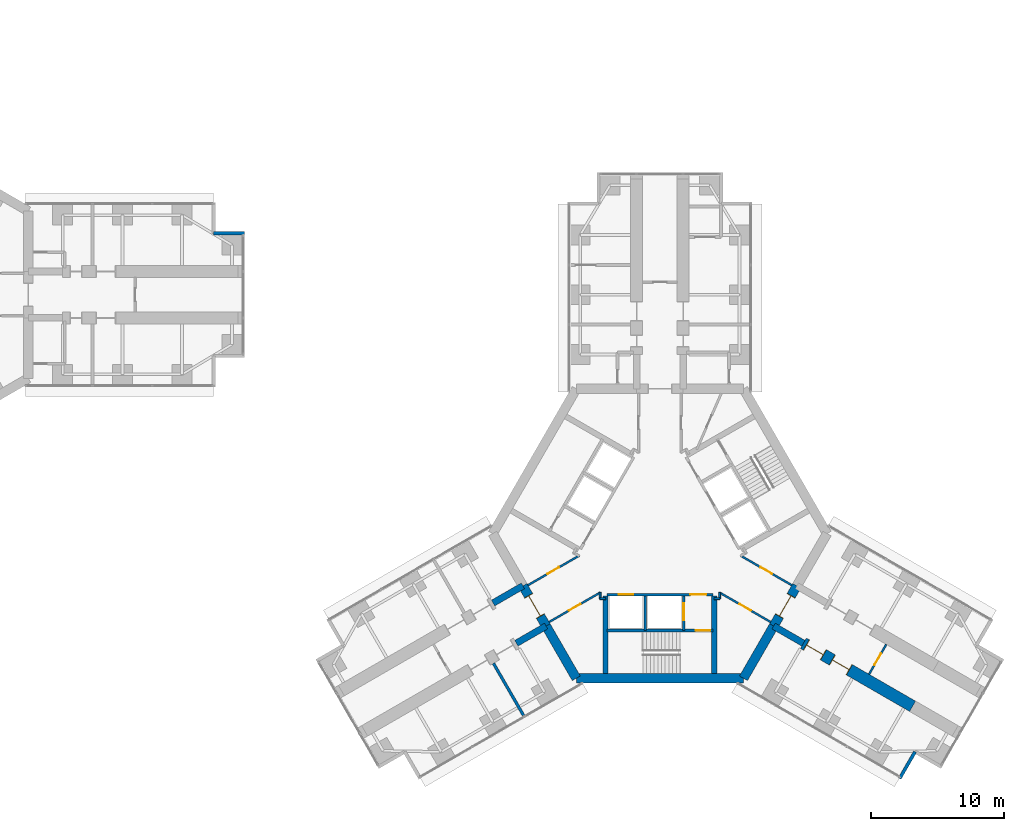
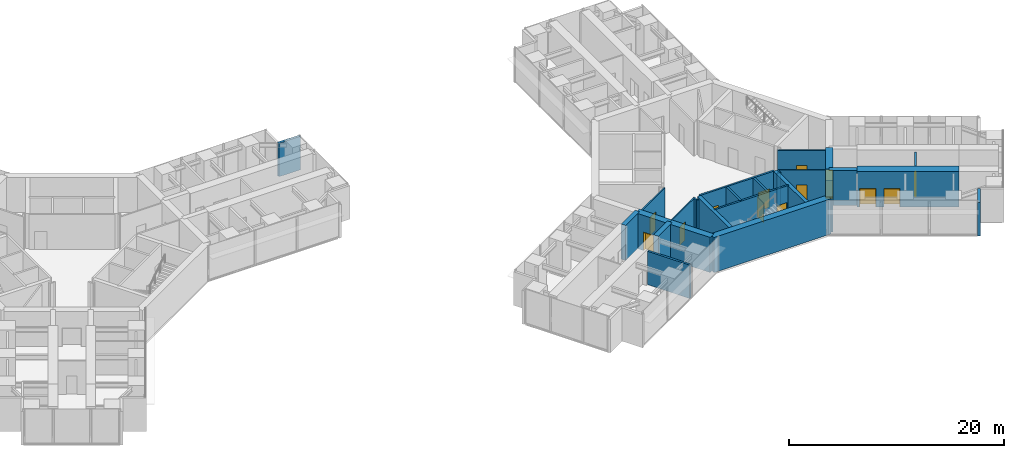
# One storey, part 19 of 23: 27 walls, 13 doors, 13 openings.
"""IFC4 building model written with IfcOpenShell, lengths in metres."""

from ifc_helpers import new_model, si_unit, direction, frame, frame_2d, origin, place, context, subcontext, project, spatial, rectangle, extrude, material, layer, layer_set, type_object, element, fill, save


model = new_model("IFC4")

# Units and contexts
model_context = context("Model", 3, precision=1e-05, world=origin(), true_north=direction((0.0, 1.0)))
body_context = subcontext(model_context, "Body", "Model", "MODEL_VIEW")
ifc_project = project(units=[si_unit("LENGTHUNIT", "METRE"), si_unit("AREAUNIT", "SQUARE_METRE"), si_unit("VOLUMEUNIT", "CUBIC_METRE"), si_unit("PLANEANGLEUNIT", "RADIAN"), si_unit("MASSUNIT", "GRAM", prefix="KILO")], contexts=[model_context])

# Site, building, storey
site_placement = place(None, origin())
site = spatial("IfcSite", under=ifc_project, at=site_placement, CompositionType="ELEMENT")
building_placement = place(site_placement, origin())
building = spatial("IfcBuilding", under=site, at=building_placement, Name="Upepo Twin Towers", CompositionType="ELEMENT")
storey_placement = place(building_placement, frame((0.0, 0.0, 28.5)))
storey = spatial("IfcBuildingStorey", under=building, at=storey_placement, Name="L06", CompositionType="ELEMENT", Elevation=28.5)

# Walls
ifc_material_1 = material(Name="Concrete blockwork, plastered both faces", Category="masonry")
ifc_layer_1 = layer(ifc_material_1, 0.215087890625)
ifc_layer_set_1 = layer_set([ifc_layer_1], Name="Blockwork partition 215")
wall_type_1 = type_object("IfcWallType", Name="Blockwork partition 215", PredefinedType="PARTITIONING", material=ifc_layer_set_1)
wall_1_placement = place(storey_placement, frame((45.960205078125, -27.7802734375, 0.0), z_axis=(0.0, 0.0, 1.0), x_axis=(0.499982560684, -0.866035472144, 0.0)))
element("IfcWall", 1, at=wall_1_placement, inside=storey, type_object=wall_type_1, Name="T2 partition BL at 15.75", PredefinedType="PARTITIONING", context=body_context, shape_type="SweptSolid", body=[
    extrude(rectangle(XDim=4.550048828125, YDim=0.215087890625, at=frame_2d((2.27490234375, 0.0))), origin(), (0.0, 0.0, 1.0), 3.800048828125),
])
ifc_material_2 = material(Name="Concrete C60/75", Category="concrete")
ifc_layer_2 = layer(ifc_material_2, 0.5)
ifc_layer_set_2 = layer_set([ifc_layer_2], Name="Concrete C60/75")
wall_type_2 = type_object("IfcWallType", Name="Buttress wall 500 RC", PredefinedType="SHEAR", material=ifc_layer_set_2)
for number, where, z_axis, x_axis, name in (
    (2, (49.92822265625, -24.9697265625, 0.0), (0.0, 0.0, 1.0), (-0.866031863473, -0.499988811324, 0.0), "T2 wing B buttress wall L"),
    (3, (48.17822265625, -21.938720703125, 0.0), (0.0, 0.0, 1.0), (-0.866072649678, -0.499918158782, 0.0), "T2 wing B buttress wall R"),
    (4, (67.07177734375, -24.9697265625, 0.0), (0.0, 0.0, 1.0), (0.866031863473, -0.499988811324, 0.0), "T2 wing C buttress wall R"),
):
    element("IfcWall", number, at=place(storey_placement, frame(where, z_axis=z_axis, x_axis=x_axis)), inside=storey, type_object=wall_type_2, Name=name, PredefinedType="SHEAR", context=body_context, shape_type="SweptSolid", body=[
        extrude(rectangle(XDim=2.591796875, YDim=0.5, at=frame_2d((1.2958984375, 0.0))), origin(), (0.0, 0.0, 1.0), 4.0),
    ])

# Wall, openings, doors
ifc_material_3 = material(Name="Concrete C60/75", Category="concrete")
ifc_layer_3 = layer(ifc_material_3, 0.89990234375)
ifc_layer_set_3 = layer_set([ifc_layer_3], Name="Concrete C60/75")
wall_type_3 = type_object("IfcWallType", Name="Buttress wall 900 RC", PredefinedType="SHEAR", material=ifc_layer_set_3)
wall_2_placement = place(storey_placement, frame((69.31640625, -26.265625, 0.0), z_axis=(0.0, 0.0, 1.0), x_axis=(0.86602681393, -0.499997557548, 0.0)))
wall_2 = element("IfcWall", 5, at=wall_2_placement, inside=storey, type_object=wall_type_3, Name="T2 wing C buttress wall R part 2", PredefinedType="SHEAR", context=body_context, shape_type="SweptSolid", body=[
    extrude(rectangle(XDim=9.5, YDim=0.89990234375, at=frame_2d((4.75, 0.0))), origin(), (0.0, 0.0, 1.0), 4.0),
])
opening_1_placement = place(wall_2_placement, frame((0.25, 0.0, 0.0)))
opening_1 = element("IfcOpeningElement", 6, at=opening_1_placement, cuts=wall_2, Name="Opening D13", PredefinedType="OPENING", context=body_context, shape_type="SweptSolid", body=[
    extrude(rectangle(XDim=1.5, YDim=2.10009765625, at=frame_2d((0.75, 1.050048828125))), frame((0.0, 0.4599609375, 0.0), z_axis=(0.0, -1.0, 0.0), x_axis=(1.0, 0.0, 0.0)), (0.0, 0.0, 1.0), 0.919921875),
])
opening_2_placement = place(wall_2_placement, frame((2.5, 0.0, 0.0)))
opening_2 = element("IfcOpeningElement", 7, at=opening_2_placement, cuts=wall_2, Name="Opening D13", PredefinedType="OPENING", context=body_context, shape_type="SweptSolid", body=[
    extrude(rectangle(XDim=1.5, YDim=2.10009765625, at=frame_2d((0.75, 1.050048828125))), frame((0.0, 0.4599609375, 0.0), z_axis=(0.0, -1.0, 0.0), x_axis=(1.0, 0.0, 0.0)), (0.0, 0.0, 1.0), 0.919921875),
])
ifc_material_4 = material(Name="Timber doorset", Category="wood")
door_type_1 = type_object("IfcDoorType", Name="Double door 1500 FD30", OperationType="DOUBLE_DOOR_SINGLE_SWING", PredefinedType="DOOR", material=ifc_material_4)
door_1_placement = place(opening_1_placement, origin())
door_1 = element("IfcDoor", 8, at=door_1_placement, inside=storey, type_object=door_type_1, Name="T2 L06 lecture room door", OperationType="DOUBLE_DOOR_SINGLE_SWING", OverallHeight=2.10009765625, OverallWidth=1.5, PredefinedType="DOOR", context=body_context, shape_type="SweptSolid", body=[
    extrude(rectangle(XDim=1.42, YDim=2.06009765625, at=frame_2d((0.75, 1.030029296875))), frame((0.0, 0.02490234375, 0.0), z_axis=(0.0, -1.0, 0.0), x_axis=(1.0, 0.0, 0.0)), (0.0, 0.0, 1.0), 0.050048828125),
    extrude(rectangle(XDim=0.04, YDim=2.10009765625, at=frame_2d((0.02001953125, 1.050048828125))), frame((0.0, 0.44970703125, 0.0), z_axis=(0.0, -1.0, 0.0), x_axis=(1.0, 0.0, 0.0)), (0.0, 0.0, 1.0), 0.8994140625),
    extrude(rectangle(XDim=0.04, YDim=2.10009765625, at=frame_2d((1.47998046875, 1.050048828125))), frame((0.0, 0.44970703125, 0.0), z_axis=(0.0, -1.0, 0.0), x_axis=(1.0, 0.0, 0.0)), (0.0, 0.0, 1.0), 0.8994140625),
    extrude(rectangle(XDim=1.42, YDim=0.04, at=frame_2d((0.75, 2.080078125))), frame((0.0, 0.44970703125, 0.0), z_axis=(0.0, -1.0, 0.0), x_axis=(1.0, 0.0, 0.0)), (0.0, 0.0, 1.0), 0.8994140625),
])
fill(opening_1, door_1)
door_2_placement = place(opening_2_placement, origin())
door_2 = element("IfcDoor", 9, at=door_2_placement, inside=storey, type_object=door_type_1, Name="T2 L06 lecture room door", OperationType="DOUBLE_DOOR_SINGLE_SWING", OverallHeight=2.10009765625, OverallWidth=1.5, PredefinedType="DOOR", context=body_context, shape_type="SweptSolid", body=[
    extrude(rectangle(XDim=1.42, YDim=2.06009765625, at=frame_2d((0.75, 1.030029296875))), frame((0.0, 0.02490234375, 0.0), z_axis=(0.0, -1.0, 0.0), x_axis=(1.0, 0.0, 0.0)), (0.0, 0.0, 1.0), 0.050048828125),
    extrude(rectangle(XDim=0.04, YDim=2.10009765625, at=frame_2d((0.02001953125, 1.050048828125))), frame((0.0, 0.44970703125, 0.0), z_axis=(0.0, -1.0, 0.0), x_axis=(1.0, 0.0, 0.0)), (0.0, 0.0, 1.0), 0.8994140625),
    extrude(rectangle(XDim=0.04, YDim=2.10009765625, at=frame_2d((1.47998046875, 1.050048828125))), frame((0.0, 0.44970703125, 0.0), z_axis=(0.0, -1.0, 0.0), x_axis=(1.0, 0.0, 0.0)), (0.0, 0.0, 1.0), 0.8994140625),
    extrude(rectangle(XDim=1.42, YDim=0.04, at=frame_2d((0.75, 2.080078125))), frame((0.0, 0.44970703125, 0.0), z_axis=(0.0, -1.0, 0.0), x_axis=(1.0, 0.0, 0.0)), (0.0, 0.0, 1.0), 0.8994140625),
])
fill(opening_2, door_2)

# Wall, opening, door
ifc_material_5 = material(Name="Concrete C60/75", Category="concrete")
ifc_layer_4 = layer(ifc_material_5, 0.699951171875)
ifc_layer_set_4 = layer_set([ifc_layer_4], Name="Concrete C60/75")
wall_type_4 = type_object("IfcWallType", Name="Core wall 700 RC", PredefinedType="SHEAR", material=ifc_layer_set_4)
wall_3_placement = place(storey_placement, frame((48.17822265625, -21.938720703125, 0.0), z_axis=(0.0, 0.0, 1.0), x_axis=(0.500010275428, -0.866019471182, 0.0)))
wall_3 = element("IfcWall", 10, at=wall_3_placement, inside=storey, type_object=wall_type_4, Name="T2 core wall 120", PredefinedType="SHEAR", context=body_context, shape_type="SweptSolid", body=[
    extrude(rectangle(XDim=3.5, YDim=0.699951171875, at=frame_2d((1.75, 0.0))), origin(), (0.0, 0.0, 1.0), 4.0),
])
opening_3_placement = place(wall_3_placement, frame((0.85009765625, 0.0, 0.0)))
opening_3 = element("IfcOpeningElement", 11, at=opening_3_placement, cuts=wall_3, Name="Opening D2", PredefinedType="OPENING", context=body_context, shape_type="SweptSolid", body=[
    extrude(rectangle(XDim=1.800048828125, YDim=2.10009765625, at=frame_2d((0.89990234375, 1.050048828125))), frame((0.0, 0.35986328125, 0.0), z_axis=(0.0, -1.0, 0.0), x_axis=(1.0, 0.0, 0.0)), (0.0, 0.0, 1.0), 0.719970703125),
])
ifc_material_6 = material(Name="Timber doorset", Category="wood")
door_type_2 = type_object("IfcDoorType", Name="Corridor double door 1800 FD60", OperationType="DOUBLE_DOOR_DOUBLE_SWING", PredefinedType="DOOR", material=ifc_material_6)
door_3_placement = place(opening_3_placement, origin())
door_3 = element("IfcDoor", 12, at=door_3_placement, inside=storey, type_object=door_type_2, Name="T2 L06 wing B corridor door", OperationType="DOUBLE_DOOR_DOUBLE_SWING", OverallHeight=2.10009765625, OverallWidth=1.800048828125, PredefinedType="DOOR", context=body_context, shape_type="SweptSolid", body=[
    extrude(rectangle(XDim=1.720048828125, YDim=2.06009765625, at=frame_2d((0.89990234375, 1.030029296875))), frame((0.0, 0.02490234375, 0.0), z_axis=(0.0, -1.0, 0.0), x_axis=(1.0, 0.0, 0.0)), (0.0, 0.0, 1.0), 0.050048828125),
    extrude(rectangle(XDim=0.04, YDim=2.10009765625, at=frame_2d((0.02001953125, 1.050048828125))), frame((0.0, 0.349609375, 0.0), z_axis=(0.0, -1.0, 0.0), x_axis=(1.0, 0.0, 0.0)), (0.0, 0.0, 1.0), 0.699462890625),
    extrude(rectangle(XDim=0.04, YDim=2.10009765625, at=frame_2d((1.780029296875, 1.050048828125))), frame((0.0, 0.349609375, 0.0), z_axis=(0.0, -1.0, 0.0), x_axis=(1.0, 0.0, 0.0)), (0.0, 0.0, 1.0), 0.699462890625),
    extrude(rectangle(XDim=1.720048828125, YDim=0.04, at=frame_2d((0.89990234375, 2.080078125))), frame((0.0, 0.349609375, 0.0), z_axis=(0.0, -1.0, 0.0), x_axis=(1.0, 0.0, 0.0)), (0.0, 0.0, 1.0), 0.699462890625),
])
fill(opening_3, door_3)

# Walls
wall_4_placement = place(storey_placement, frame((49.92822265625, -24.9697265625, 0.0), z_axis=(0.0, 0.0, 1.0), x_axis=(0.499984222037, -0.866034513004, 0.0)))
element("IfcWall", 13, at=wall_4_placement, inside=storey, type_object=wall_type_4, Name="T2 core wall 120 L", PredefinedType="SHEAR", context=body_context, shape_type="SweptSolid", body=[
    extrude(rectangle(XDim=4.548095703125, YDim=0.699951171875, at=frame_2d((2.27392578125, 0.0))), origin(), (0.0, 0.0, 1.0), 4.0),
])
wall_5_placement = place(storey_placement, frame((52.2021484375, -28.908447265625, 0.0), z_axis=(0.0, 0.0, 1.0), x_axis=(1.0, 0.0, 0.0)))
element("IfcWall", 14, at=wall_5_placement, inside=storey, type_object=wall_type_4, Name="T2 core wall 180", PredefinedType="SHEAR", context=body_context, shape_type="SweptSolid", body=[
    extrude(rectangle(XDim=12.595703125, YDim=0.699951171875, at=frame_2d((6.2978515625, 0.0))), origin(), (0.0, 0.0, 1.0), 4.0),
])
wall_6_placement = place(storey_placement, frame((64.7978515625, -28.908447265625, 0.0), z_axis=(0.0, 0.0, 1.0), x_axis=(0.499984222037, 0.866034513004, 0.0)))
element("IfcWall", 15, at=wall_6_placement, inside=storey, type_object=wall_type_4, Name="T2 core wall 240 R", PredefinedType="SHEAR", context=body_context, shape_type="SweptSolid", body=[
    extrude(rectangle(XDim=4.548095703125, YDim=0.699951171875, at=frame_2d((2.27392578125, 0.0))), origin(), (0.0, 0.0, 1.0), 4.0),
])

# Wall, opening, door
wall_7_placement = place(storey_placement, frame((67.07177734375, -24.9697265625, 0.0), z_axis=(0.0, 0.0, 1.0), x_axis=(0.500010275428, 0.866019471182, 0.0)))
wall_7 = element("IfcWall", 16, at=wall_7_placement, inside=storey, type_object=wall_type_4, Name="T2 core wall 240", PredefinedType="SHEAR", context=body_context, shape_type="SweptSolid", body=[
    extrude(rectangle(XDim=3.5, YDim=0.699951171875, at=frame_2d((1.75, 0.0))), origin(), (0.0, 0.0, 1.0), 4.0),
])
opening_4_placement = place(wall_7_placement, frame((0.85009765625, 0.0, 0.0)))
opening_4 = element("IfcOpeningElement", 17, at=opening_4_placement, cuts=wall_7, Name="Opening D2", PredefinedType="OPENING", context=body_context, shape_type="SweptSolid", body=[
    extrude(rectangle(XDim=1.800048828125, YDim=2.10009765625, at=frame_2d((0.89990234375, 1.050048828125))), frame((0.0, 0.35986328125, 0.0), z_axis=(0.0, -1.0, 0.0), x_axis=(1.0, 0.0, 0.0)), (0.0, 0.0, 1.0), 0.719970703125),
])
door_4_placement = place(opening_4_placement, origin())
door_4 = element("IfcDoor", 18, at=door_4_placement, inside=storey, type_object=door_type_2, Name="T2 L06 wing C corridor door", OperationType="DOUBLE_DOOR_DOUBLE_SWING", OverallHeight=2.10009765625, OverallWidth=1.800048828125, PredefinedType="DOOR", context=body_context, shape_type="SweptSolid", body=[
    extrude(rectangle(XDim=1.720048828125, YDim=2.06009765625, at=frame_2d((0.89990234375, 1.030029296875))), frame((0.0, 0.02490234375, 0.0), z_axis=(0.0, -1.0, 0.0), x_axis=(1.0, 0.0, 0.0)), (0.0, 0.0, 1.0), 0.050048828125),
    extrude(rectangle(XDim=0.04, YDim=2.10009765625, at=frame_2d((0.02001953125, 1.050048828125))), frame((0.0, 0.349609375, 0.0), z_axis=(0.0, -1.0, 0.0), x_axis=(1.0, 0.0, 0.0)), (0.0, 0.0, 1.0), 0.699462890625),
    extrude(rectangle(XDim=0.04, YDim=2.10009765625, at=frame_2d((1.780029296875, 1.050048828125))), frame((0.0, 0.349609375, 0.0), z_axis=(0.0, -1.0, 0.0), x_axis=(1.0, 0.0, 0.0)), (0.0, 0.0, 1.0), 0.699462890625),
    extrude(rectangle(XDim=1.720048828125, YDim=0.04, at=frame_2d((0.89990234375, 2.080078125))), frame((0.0, 0.349609375, 0.0), z_axis=(0.0, -1.0, 0.0), x_axis=(1.0, 0.0, 0.0)), (0.0, 0.0, 1.0), 0.699462890625),
])
fill(opening_4, door_4)

# Walls
ifc_material_7 = material(Name="Blockwork with anodised aluminium cladding", Category="masonry")
ifc_layer_5 = layer(ifc_material_7, 0.25)
ifc_layer_set_5 = layer_set([ifc_layer_5], Name="Notch cladding wall 250, pale metal")
wall_type_5 = type_object("IfcWallType", Name="Notch cladding wall 250, pale metal", PredefinedType="STANDARD", material=ifc_layer_set_5)
for number, where, z_axis, x_axis, name in (
    (19, (24.875, 4.625, 0.0), (0.0, 0.0, 1.0), (1.0, 0.0, 0.0), "T1 L06 wing A notch wall L2"),
    (20, (76.5673828125, -36.456298828125, 0.0), (0.0, 0.0, 1.0), (0.500046648681, 0.865998469481, 0.0), "T2 L06 wing C notch wall R1"),
):
    element("IfcWall", number, at=place(storey_placement, frame(where, z_axis=z_axis, x_axis=x_axis)), inside=storey, type_object=wall_type_5, Name=name, PredefinedType="STANDARD", context=body_context, shape_type="SweptSolid", body=[
        extrude(rectangle(XDim=2.324951171875, YDim=0.25, at=frame_2d((1.16259765625, 0.0))), origin(), (0.0, 0.0, 1.0), 3.800048828125),
    ])

# Wall, openings, doors
ifc_material_8 = material(Name="Concrete C40/50", Category="concrete")
ifc_layer_6 = layer(ifc_material_8, 0.199951171875)
ifc_layer_set_6 = layer_set([ifc_layer_6], Name="Concrete C40/50")
wall_type_6 = type_object("IfcWallType", Name="Shaft wall 200 RC", PredefinedType="SHEAR", material=ifc_layer_set_6)
wall_8_placement = place(storey_placement, frame((54.5, -22.60009765625, 0.0), z_axis=(0.0, 0.0, 1.0), x_axis=(1.0, 0.0, 0.0)))
wall_8 = element("IfcWall", 21, at=wall_8_placement, inside=storey, type_object=wall_type_6, Name="T2 core W180 front wall", PredefinedType="SHEAR", context=body_context, shape_type="SweptSolid", body=[
    extrude(rectangle(XDim=8.0, YDim=0.199951171875, at=frame_2d((4.0, 0.0))), origin(), (0.0, 0.0, 1.0), 4.0),
])
opening_5_placement = place(wall_8_placement, frame((6.300048828125, 0.0, 0.0)))
opening_5 = element("IfcOpeningElement", 22, at=opening_5_placement, cuts=wall_8, Name="Opening D4", PredefinedType="OPENING", context=body_context, shape_type="SweptSolid", body=[
    extrude(rectangle(XDim=1.199951171875, YDim=2.10009765625, at=frame_2d((0.60009765625, 1.050048828125))), frame((0.0, 0.10986328125, 0.0), z_axis=(0.0, -1.0, 0.0), x_axis=(1.0, 0.0, 0.0)), (0.0, 0.0, 1.0), 0.219970703125),
])
opening_6_placement = place(wall_8_placement, frame((0.89990234375, 0.0, 0.0)))
opening_6 = element("IfcOpeningElement", 23, at=opening_6_placement, cuts=wall_8, Name="Opening LD1", PredefinedType="OPENING", context=body_context, shape_type="SweptSolid", body=[
    extrude(rectangle(XDim=1.10009765625, YDim=2.199951171875, at=frame_2d((0.550048828125, 1.10009765625))), frame((0.0, 0.10986328125, 0.0), z_axis=(0.0, -1.0, 0.0), x_axis=(1.0, 0.0, 0.0)), (0.0, 0.0, 1.0), 0.219970703125),
])
ifc_material_9 = material(Name="Steel doorset", Category="steel")
door_type_3 = type_object("IfcDoorType", Name="Lift landing door 1100", OperationType="DOUBLE_DOOR_SLIDING", PredefinedType="DOOR", material=ifc_material_9)
door_5_placement = place(opening_6_placement, origin())
door_5 = element("IfcDoor", 24, at=door_5_placement, inside=storey, type_object=door_type_3, Name="T2 L06 lift SV1 landing door", OperationType="DOUBLE_DOOR_SLIDING", OverallHeight=2.199951171875, OverallWidth=1.10009765625, PredefinedType="DOOR", context=body_context, shape_type="SweptSolid", body=[
    extrude(rectangle(XDim=1.10009765625, YDim=2.199951171875, at=frame_2d((0.550048828125, 1.10009765625))), frame((0.0, 0.02490234375, 0.0), z_axis=(0.0, -1.0, 0.0), x_axis=(1.0, 0.0, 0.0)), (0.0, 0.0, 1.0), 0.050048828125),
])
fill(opening_6, door_5)
ifc_material_10 = material(Name="Timber doorset", Category="wood")
door_type_4 = type_object("IfcDoorType", Name="Lobby door 1200 FD60", OperationType="SINGLE_SWING_LEFT", PredefinedType="DOOR", material=ifc_material_10)
door_6_placement = place(opening_5_placement, origin())
door_6 = element("IfcDoor", 25, at=door_6_placement, inside=storey, type_object=door_type_4, Name="T2 L06 W180 lobby door", OperationType="SINGLE_SWING_RIGHT", OverallHeight=2.10009765625, OverallWidth=1.199951171875, PredefinedType="DOOR", context=body_context, shape_type="SweptSolid", body=[
    extrude(rectangle(XDim=1.199951171875, YDim=2.10009765625, at=frame_2d((0.60009765625, 1.050048828125))), frame((0.0, 0.02490234375, 0.0), z_axis=(0.0, -1.0, 0.0), x_axis=(1.0, 0.0, 0.0)), (0.0, 0.0, 1.0), 0.050048828125),
])
fill(opening_5, door_6)

# Wall
wall_9_placement = place(storey_placement, frame((57.39990234375, -22.699951171875, 0.0), z_axis=(0.0, 0.0, 1.0), x_axis=(0.0, -1.0, 0.0)))
element("IfcWall", 26, at=wall_9_placement, inside=storey, type_object=wall_type_6, Name="T2 core W180 shaft divider", PredefinedType="SHEAR", context=body_context, shape_type="SweptSolid", body=[
    extrude(rectangle(XDim=2.60009765625, YDim=0.199951171875, at=frame_2d((1.300048828125, 0.0))), origin(), (0.0, 0.0, 1.0), 4.0),
])

# Wall, opening, door
wall_10_placement = place(storey_placement, frame((60.300048828125, -22.699951171875, 0.0), z_axis=(0.0, 0.0, 1.0), x_axis=(0.0, -1.0, 0.0)))
wall_10 = element("IfcWall", 27, at=wall_10_placement, inside=storey, type_object=wall_type_6, Name="T2 core W180 lobby wall", PredefinedType="SHEAR", context=body_context, shape_type="SweptSolid", body=[
    extrude(rectangle(XDim=2.60009765625, YDim=0.199951171875, at=frame_2d((1.300048828125, 0.0))), origin(), (0.0, 0.0, 1.0), 4.0),
])
opening_7_placement = place(wall_10_placement, frame((0.550048828125, 0.0, 0.0)))
opening_7 = element("IfcOpeningElement", 28, at=opening_7_placement, cuts=wall_10, Name="Opening LD2", PredefinedType="OPENING", context=body_context, shape_type="SweptSolid", body=[
    extrude(rectangle(XDim=1.300048828125, YDim=2.199951171875, at=frame_2d((0.64990234375, 1.10009765625))), frame((0.0, 0.10986328125, 0.0), z_axis=(0.0, -1.0, 0.0), x_axis=(1.0, 0.0, 0.0)), (0.0, 0.0, 1.0), 0.219970703125),
])
ifc_material_11 = material(Name="Steel doorset", Category="steel")
door_type_5 = type_object("IfcDoorType", Name="Firefighting lift landing door 1300", OperationType="DOUBLE_DOOR_SLIDING", PredefinedType="DOOR", material=ifc_material_11)
door_7_placement = place(opening_7_placement, origin())
door_7 = element("IfcDoor", 29, at=door_7_placement, inside=storey, type_object=door_type_5, Name="T2 L06 firefighting lift landing door", OperationType="DOUBLE_DOOR_SLIDING", OverallHeight=2.199951171875, OverallWidth=1.300048828125, PredefinedType="DOOR", context=body_context, shape_type="SweptSolid", body=[
    extrude(rectangle(XDim=1.300048828125, YDim=2.199951171875, at=frame_2d((0.64990234375, 1.10009765625))), frame((0.0, 0.02490234375, 0.0), z_axis=(0.0, -1.0, 0.0), x_axis=(1.0, 0.0, 0.0)), (0.0, 0.0, 1.0), 0.050048828125),
])
fill(opening_7, door_7)

wall_11_placement = place(storey_placement, frame((54.5, -25.300048828125, 0.0), z_axis=(0.0, 0.0, 1.0), x_axis=(1.0, 0.0, 0.0)))
wall_11 = element("IfcWall", 30, at=wall_11_placement, inside=storey, type_object=wall_type_6, Name="T2 core W180 stair wall", PredefinedType="SHEAR", context=body_context, shape_type="SweptSolid", body=[
    extrude(rectangle(XDim=8.0, YDim=0.199951171875, at=frame_2d((4.0, 0.0))), origin(), (0.0, 0.0, 1.0), 4.0),
])
opening_8_placement = place(wall_11_placement, frame((6.699951171875, 0.0, 0.0)))
opening_8 = element("IfcOpeningElement", 31, at=opening_8_placement, cuts=wall_11, Name="Opening D3", PredefinedType="OPENING", context=body_context, shape_type="SweptSolid", body=[
    extrude(rectangle(XDim=1.10009765625, YDim=2.10009765625, at=frame_2d((0.550048828125, 1.050048828125))), frame((0.0, 0.10986328125, 0.0), z_axis=(0.0, -1.0, 0.0), x_axis=(1.0, 0.0, 0.0)), (0.0, 0.0, 1.0), 0.219970703125),
])
ifc_material_12 = material(Name="Timber doorset", Category="wood")
door_type_6 = type_object("IfcDoorType", Name="Stair door 1100 FD60", OperationType="SINGLE_SWING_LEFT", PredefinedType="DOOR", material=ifc_material_12)
door_8_placement = place(opening_8_placement, origin())
door_8 = element("IfcDoor", 32, at=door_8_placement, inside=storey, type_object=door_type_6, Name="T2 L06 stair door", OperationType="SINGLE_SWING_RIGHT", OverallHeight=2.10009765625, OverallWidth=1.10009765625, PredefinedType="DOOR", context=body_context, shape_type="SweptSolid", body=[
    extrude(rectangle(XDim=1.10009765625, YDim=2.10009765625, at=frame_2d((0.550048828125, 1.050048828125))), frame((0.0, 0.02490234375, 0.0), z_axis=(0.0, -1.0, 0.0), x_axis=(1.0, 0.0, 0.0)), (0.0, 0.0, 1.0), 0.050048828125),
])
fill(opening_8, door_8)

# Walls
ifc_material_13 = material(Name="Concrete C40/50", Category="concrete")
ifc_layer_7 = layer(ifc_material_13, 0.39990234375)
ifc_layer_set_7 = layer_set([ifc_layer_7], Name="Concrete C40/50")
wall_type_7 = type_object("IfcWallType", Name="Shaft wall 400 RC", PredefinedType="SHEAR", material=ifc_layer_set_7)
for number, where, z_axis, x_axis, name in (
    (33, (62.60009765625, -22.699951171875, 0.0), (0.0, 0.0, 1.0), (0.0, -1.0, 0.0), "T2 core W180 side wall N"),
    (34, (54.39990234375, -22.699951171875, 0.0), (0.0, 0.0, 1.0), (0.0, -1.0, 0.0), "T2 core W180 side wall S"),
):
    element("IfcWall", number, at=place(storey_placement, frame(where, z_axis=z_axis, x_axis=x_axis)), inside=storey, type_object=wall_type_7, Name=name, PredefinedType="SHEAR", context=body_context, shape_type="SweptSolid", body=[
        extrude(rectangle(XDim=5.8583984375, YDim=0.39990234375, at=frame_2d((2.92919921875, 0.0))), origin(), (0.0, 0.0, 1.0), 4.0),
    ])
ifc_material_14 = material(Name="Gypsum board on steel studs", Category="steel")
ifc_layer_8 = layer(ifc_material_14, 0.14990234375)
ifc_layer_set_8 = layer_set([ifc_layer_8], Name="Teaching partition 150 acoustic")
wall_type_8 = type_object("IfcWallType", Name="Teaching partition 150 acoustic", PredefinedType="PARTITIONING", material=ifc_layer_set_8)
wall_12_placement = place(storey_placement, frame((54.0, -22.919921875, 0.0), z_axis=(0.0, 0.0, 1.0), x_axis=(0.0, 1.0, 0.0)))
element("IfcWall", 35, at=wall_12_placement, inside=storey, type_object=wall_type_8, Name="T2 core room partition 1", PredefinedType="PARTITIONING", context=body_context, shape_type="SweptSolid", body=[
    extrude(rectangle(XDim=0.494384765625, YDim=0.14990234375, at=frame_2d((0.2470703125, 0.0))), origin(), (0.0, 0.0, 1.0), 3.800048828125),
])

# Wall, opening, door
wall_13_placement = place(storey_placement, frame((54.017333984375, -22.435546875, 0.0), z_axis=(0.0, 0.0, 1.0), x_axis=(-0.866015446554, -0.500017246033, 0.0)))
wall_13 = element("IfcWall", 36, at=wall_13_placement, inside=storey, type_object=wall_type_8, Name="T2 core room partition 2", PredefinedType="PARTITIONING", context=body_context, shape_type="SweptSolid", body=[
    extrude(rectangle(XDim=4.468505859375, YDim=0.14990234375, at=frame_2d((2.234375, 0.0))), origin(), (0.0, 0.0, 1.0), 3.800048828125),
])
opening_9_placement = place(wall_13_placement, frame((1.744384765625, 0.0, 0.0)))
opening_9 = element("IfcOpeningElement", 37, at=opening_9_placement, cuts=wall_13, Name="Opening D1", PredefinedType="OPENING", context=body_context, shape_type="SweptSolid", body=[
    extrude(rectangle(XDim=1.0, YDim=2.10009765625, at=frame_2d((0.5, 1.050048828125))), frame((0.0, 0.0849609375, 0.0), z_axis=(0.0, -1.0, 0.0), x_axis=(1.0, 0.0, 0.0)), (0.0, 0.0, 1.0), 0.169921875),
])
ifc_material_15 = material(Name="Timber doorset", Category="wood")
door_type_7 = type_object("IfcDoorType", Name="Room door 1000 FD30", OperationType="SINGLE_SWING_LEFT", PredefinedType="DOOR", material=ifc_material_15)
door_9_placement = place(opening_9_placement, origin())
door_9 = element("IfcDoor", 38, at=door_9_placement, inside=storey, type_object=door_type_7, Name="T2 L06 core room door K2", OperationType="SINGLE_SWING_RIGHT", OverallHeight=2.10009765625, OverallWidth=1.0, PredefinedType="DOOR", context=body_context, shape_type="SweptSolid", body=[
    extrude(rectangle(XDim=1.0, YDim=2.10009765625, at=frame_2d((0.5, 1.050048828125))), frame((0.0, 0.02490234375, 0.0), z_axis=(0.0, -1.0, 0.0), x_axis=(1.0, 0.0, 0.0)), (0.0, 0.0, 1.0), 0.050048828125),
])
fill(opening_9, door_9)

wall_14_placement = place(storey_placement, frame((48.547607421875, -21.8984375, 0.0), z_axis=(0.0, 0.0, 1.0), x_axis=(0.866025445582, 0.499999927604, 0.0)))
wall_14 = element("IfcWall", 39, at=wall_14_placement, inside=storey, type_object=wall_type_8, Name="T2 core room partition 3", PredefinedType="PARTITIONING", context=body_context, shape_type="SweptSolid", body=[
    extrude(rectangle(XDim=4.46826171875, YDim=0.14990234375, at=frame_2d((2.234130859375, 0.0))), origin(), (0.0, 0.0, 1.0), 3.800048828125),
])
opening_10_placement = place(wall_14_placement, frame((1.72412109375, 0.0, 0.0)))
opening_10 = element("IfcOpeningElement", 40, at=opening_10_placement, cuts=wall_14, Name="Opening D1", PredefinedType="OPENING", context=body_context, shape_type="SweptSolid", body=[
    extrude(rectangle(XDim=1.0, YDim=2.10009765625, at=frame_2d((0.5, 1.050048828125))), frame((0.0, 0.0849609375, 0.0), z_axis=(0.0, -1.0, 0.0), x_axis=(1.0, 0.0, 0.0)), (0.0, 0.0, 1.0), 0.169921875),
])
door_10_placement = place(opening_10_placement, origin())
door_10 = element("IfcDoor", 41, at=door_10_placement, inside=storey, type_object=door_type_7, Name="T2 L06 core room door K1", OperationType="SINGLE_SWING_LEFT", OverallHeight=2.10009765625, OverallWidth=1.0, PredefinedType="DOOR", context=body_context, shape_type="SweptSolid", body=[
    extrude(rectangle(XDim=1.0, YDim=2.10009765625, at=frame_2d((0.5, 1.050048828125))), frame((0.0, 0.02490234375, 0.0), z_axis=(0.0, -1.0, 0.0), x_axis=(1.0, 0.0, 0.0)), (0.0, 0.0, 1.0), 0.050048828125),
])
fill(opening_10, door_10)

wall_15_placement = place(storey_placement, frame((64.582763671875, -19.664306640625, 0.0), z_axis=(0.0, 0.0, 1.0), x_axis=(0.866025445582, -0.499999927604, 0.0)))
wall_15 = element("IfcWall", 42, at=wall_15_placement, inside=storey, type_object=wall_type_8, Name="T2 core room partition 14", PredefinedType="PARTITIONING", context=body_context, shape_type="SweptSolid", body=[
    extrude(rectangle(XDim=4.46826171875, YDim=0.14990234375, at=frame_2d((2.234130859375, 0.0))), origin(), (0.0, 0.0, 1.0), 3.800048828125),
])
opening_11_placement = place(wall_15_placement, frame((1.744384765625, 0.0, 0.0)))
opening_11 = element("IfcOpeningElement", 43, at=opening_11_placement, cuts=wall_15, Name="Opening D1", PredefinedType="OPENING", context=body_context, shape_type="SweptSolid", body=[
    extrude(rectangle(XDim=1.0, YDim=2.10009765625, at=frame_2d((0.5, 1.050048828125))), frame((0.0, 0.0849609375, 0.0), z_axis=(0.0, -1.0, 0.0), x_axis=(1.0, 0.0, 0.0)), (0.0, 0.0, 1.0), 0.169921875),
])
door_11_placement = place(opening_11_placement, origin())
door_11 = element("IfcDoor", 44, at=door_11_placement, inside=storey, type_object=door_type_7, Name="T2 L06 core room door K4", OperationType="SINGLE_SWING_RIGHT", OverallHeight=2.10009765625, OverallWidth=1.0, PredefinedType="DOOR", context=body_context, shape_type="SweptSolid", body=[
    extrude(rectangle(XDim=1.0, YDim=2.10009765625, at=frame_2d((0.5, 1.050048828125))), frame((0.0, 0.02490234375, 0.0), z_axis=(0.0, -1.0, 0.0), x_axis=(1.0, 0.0, 0.0)), (0.0, 0.0, 1.0), 0.050048828125),
])
fill(opening_11, door_11)

wall_16_placement = place(storey_placement, frame((66.8525390625, -24.669921875, 0.0), z_axis=(0.0, 0.0, 1.0), x_axis=(-0.866015446554, 0.500017246033, 0.0)))
wall_16 = element("IfcWall", 45, at=wall_16_placement, inside=storey, type_object=wall_type_8, Name="T2 core room partition 15", PredefinedType="PARTITIONING", context=body_context, shape_type="SweptSolid", body=[
    extrude(rectangle(XDim=4.468505859375, YDim=0.14990234375, at=frame_2d((2.234375, 0.0))), origin(), (0.0, 0.0, 1.0), 3.800048828125),
])
opening_12_placement = place(wall_16_placement, frame((1.72412109375, 0.0, 0.0)))
opening_12 = element("IfcOpeningElement", 46, at=opening_12_placement, cuts=wall_16, Name="Opening D1", PredefinedType="OPENING", context=body_context, shape_type="SweptSolid", body=[
    extrude(rectangle(XDim=1.0, YDim=2.10009765625, at=frame_2d((0.5, 1.050048828125))), frame((0.0, 0.0849609375, 0.0), z_axis=(0.0, -1.0, 0.0), x_axis=(1.0, 0.0, 0.0)), (0.0, 0.0, 1.0), 0.169921875),
])
door_12_placement = place(opening_12_placement, origin())
door_12 = element("IfcDoor", 47, at=door_12_placement, inside=storey, type_object=door_type_7, Name="T2 L06 core room door K3", OperationType="SINGLE_SWING_LEFT", OverallHeight=2.10009765625, OverallWidth=1.0, PredefinedType="DOOR", context=body_context, shape_type="SweptSolid", body=[
    extrude(rectangle(XDim=1.0, YDim=2.10009765625, at=frame_2d((0.5, 1.050048828125))), frame((0.0, 0.02490234375, 0.0), z_axis=(0.0, -1.0, 0.0), x_axis=(1.0, 0.0, 0.0)), (0.0, 0.0, 1.0), 0.050048828125),
])
fill(opening_12, door_12)

# Walls
wall_17_placement = place(storey_placement, frame((63.0, -22.425537109375, 0.0), z_axis=(0.0, 0.0, 1.0), x_axis=(0.0, -1.0, 0.0)))
element("IfcWall", 48, at=wall_17_placement, inside=storey, type_object=wall_type_8, Name="T2 core room partition 16", PredefinedType="PARTITIONING", context=body_context, shape_type="SweptSolid", body=[
    extrude(rectangle(XDim=0.494384765625, YDim=0.14990234375, at=frame_2d((0.2470703125, 0.0))), origin(), (0.0, 0.0, 1.0), 3.800048828125),
])
for number, where, z_axis, x_axis, name in (
    (49, (63.02001953125, -22.89990234375, 0.0), (0.0, 0.0, 1.0), (-1.0, 0.0, 0.0), "T2 core room partition 17"),
    (50, (54.409912109375, -22.89990234375, 0.0), (0.0, 0.0, 1.0), (-1.0, 0.0, 0.0), "T2 core room partition 18"),
):
    element("IfcWall", number, at=place(storey_placement, frame(where, z_axis=z_axis, x_axis=x_axis)), inside=storey, type_object=wall_type_8, Name=name, PredefinedType="PARTITIONING", context=body_context, shape_type="SweptSolid", body=[
        extrude(rectangle(XDim=0.429931640625, YDim=0.14990234375, at=frame_2d((0.21484375, 0.0))), origin(), (0.0, 0.0, 1.0), 3.800048828125),
    ])

# Wall, opening, door
wall_18_placement = place(storey_placement, frame((74.26123046875, -28.600830078125, 0.0), z_axis=(0.0, 0.0, 1.0), x_axis=(0.500006934395, 0.866021400173, 0.0)))
wall_18 = element("IfcWall", 51, at=wall_18_placement, inside=storey, type_object=wall_type_8, Name="T2 corridor end partition C at 18.95", PredefinedType="PARTITIONING", context=body_context, shape_type="SweptSolid", body=[
    extrude(rectangle(XDim=2.60009765625, YDim=0.14990234375, at=frame_2d((1.300048828125, 0.0))), origin(), (0.0, 0.0, 1.0), 3.800048828125),
])
opening_13_placement = place(wall_18_placement, frame((0.800048828125, 0.0, 0.0)))
opening_13 = element("IfcOpeningElement", 52, at=opening_13_placement, cuts=wall_18, Name="Opening D1", PredefinedType="OPENING", context=body_context, shape_type="SweptSolid", body=[
    extrude(rectangle(XDim=1.0, YDim=2.10009765625, at=frame_2d((0.5, 1.050048828125))), frame((0.0, 0.0849609375, 0.0), z_axis=(0.0, -1.0, 0.0), x_axis=(1.0, 0.0, 0.0)), (0.0, 0.0, 1.0), 0.169921875),
])
door_13_placement = place(opening_13_placement, origin())
door_13 = element("IfcDoor", 53, at=door_13_placement, inside=storey, type_object=door_type_7, Name="T2 L06 breakout study room door", OperationType="SINGLE_SWING_LEFT", OverallHeight=2.10009765625, OverallWidth=1.0, PredefinedType="DOOR", context=body_context, shape_type="SweptSolid", body=[
    extrude(rectangle(XDim=1.0, YDim=2.10009765625, at=frame_2d((0.5, 1.050048828125))), frame((0.0, 0.02490234375, 0.0), z_axis=(0.0, -1.0, 0.0), x_axis=(1.0, 0.0, 0.0)), (0.0, 0.0, 1.0), 0.050048828125),
])
fill(opening_13, door_13)

save(model, "model.ifc")
